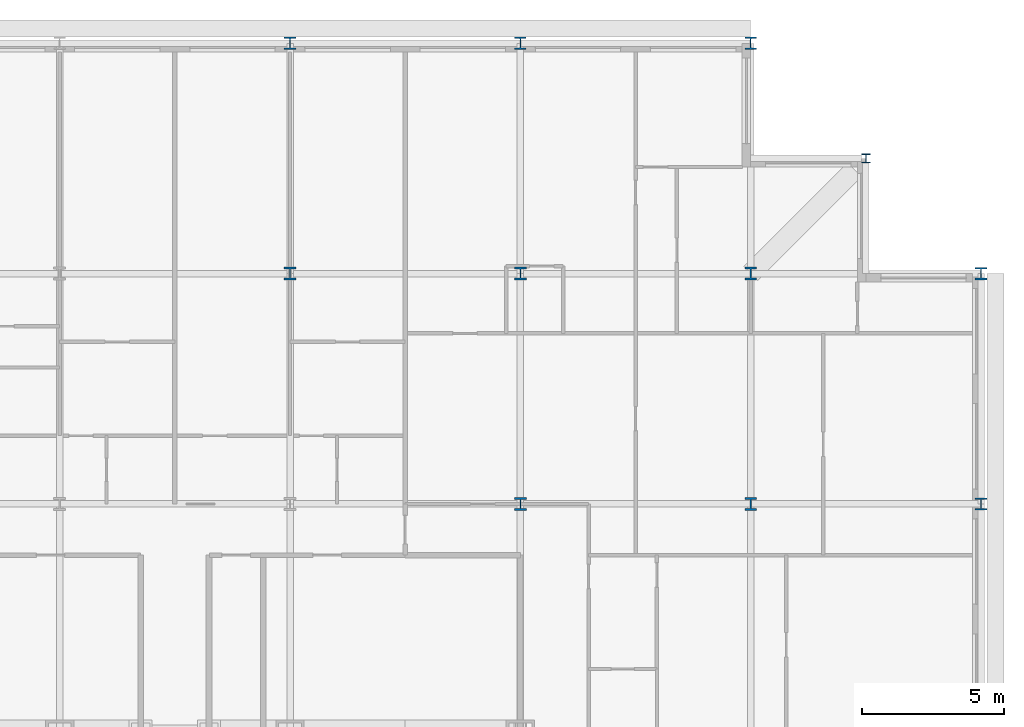
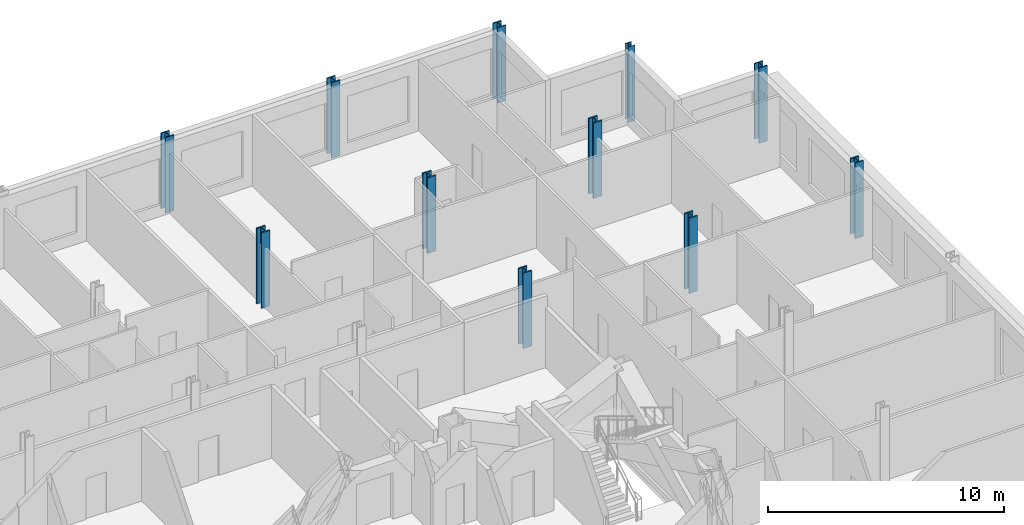
# One storey, part 4 of 16: 11 columns.
"""IFC4 building model written with IfcOpenShell, lengths in metres."""

from ifc_helpers import new_model, si_unit, direction, frame, origin, origin_2d, place, context, subcontext, project, spatial, i_section, extrude, material, material_profile, profile_set, type_object, element, save


model = new_model("IFC4")

# Units and contexts
model_context = context("Model", 3, precision=1e-05, world=origin(), true_north=direction((0.0, 1.0)))
body_context = subcontext(model_context, "Body", "Model", "MODEL_VIEW")
ifc_project = project(units=[si_unit("LENGTHUNIT", "METRE"), si_unit("AREAUNIT", "SQUARE_METRE"), si_unit("VOLUMEUNIT", "CUBIC_METRE"), si_unit("PLANEANGLEUNIT", "RADIAN"), si_unit("MASSUNIT", "GRAM", prefix="KILO")], contexts=[model_context])

# Site, building, storey
site_placement = place(None, origin())
site = spatial("IfcSite", under=ifc_project, at=site_placement, CompositionType="ELEMENT")
building_placement = place(site_placement, origin())
building = spatial("IfcBuilding", under=site, at=building_placement, Name="Kopane Lantern Tower", CompositionType="ELEMENT")
storey_placement = place(building_placement, frame((0.0, 0.0, 258.0)))
storey = spatial("IfcBuildingStorey", under=building, at=storey_placement, Name="L66", CompositionType="ELEMENT", Elevation=258.0)

# Columns
ifc_material_1 = material(Name="Steel S355JR", Category="steel")
ifc_material_profile_1 = material_profile(ifc_material_1, i_section(OverallWidth=0.307373046875, OverallDepth=0.314453125, WebThickness=0.011962890625, FlangeThickness=0.018798828125, FilletRadius=0.01513671875, at=origin_2d()), Name="UC 305x305x118")
ifc_profile_set_1 = profile_set([ifc_material_profile_1], Name="Steel S355JR")
column_type_1 = type_object("IfcColumnType", Name="COLUMN UC 305x305x118", PredefinedType="COLUMN", material=ifc_profile_set_1)
column_placement = place(storey_placement, frame((52.64990234375, 60.75, 0.0), z_axis=(0.0, 0.0, 1.0), x_axis=(1.0, 0.0, 0.0)))
element("IfcColumn", 1, at=column_placement, inside=storey, type_object=column_type_1, Name="Column 52.65/60.75 L66", PredefinedType="COLUMN", context=body_context, shape_type="SweptSolid", body=[
    extrude(i_section(OverallWidth=0.307373046875, OverallDepth=0.314453125, WebThickness=0.011962890625, FlangeThickness=0.018798828125, FilletRadius=0.01513671875, at=origin_2d()), origin(), (0.0, 0.0, 1.0), 3.89990234375),
])
ifc_material_2 = material(Name="Steel S355JR", Category="steel")
ifc_material_profile_2 = material_profile(ifc_material_2, i_section(OverallWidth=0.412109375, OverallDepth=0.4365234375, WebThickness=0.035888671875, FlangeThickness=0.05810546875, FilletRadius=0.01513671875, at=origin_2d()), Name="UC 356x406x467")
ifc_profile_set_2 = profile_set([ifc_material_profile_2], Name="Steel S355JR")
column_type_2 = type_object("IfcColumnType", Name="COLUMN UC 356x406x467", PredefinedType="COLUMN", material=ifc_profile_set_2)
for number, where, z_axis, x_axis, name in (
    (2, (32.39990234375, 64.800048828125, 0.0), (0.0, 0.0, 1.0), (1.0, 0.0, 0.0), "Column 6/K L66"),
    (3, (40.5, 64.800048828125, 0.0), (0.0, 0.0, 1.0), (1.0, 0.0, 0.0), "Column 7/K L66"),
    (4, (48.60009765625, 64.800048828125, 0.0), (0.0, 0.0, 1.0), (1.0, 0.0, 0.0), "Column 8/K L66"),
    (5, (56.699951171875, 48.60009765625, 0.0), (0.0, 0.0, 1.0), (1.0, 0.0, 0.0), "Column 9/H L66"),
    (6, (56.699951171875, 56.699951171875, 0.0), (0.0, 0.0, 1.0), (1.0, 0.0, 0.0), "Column 9/J L66"),
):
    element("IfcColumn", number, at=place(storey_placement, frame(where, z_axis=z_axis, x_axis=x_axis)), inside=storey, type_object=column_type_2, Name=name, PredefinedType="COLUMN", context=body_context, shape_type="SweptSolid", body=[
        extrude(i_section(OverallWidth=0.412109375, OverallDepth=0.4365234375, WebThickness=0.035888671875, FlangeThickness=0.05810546875, FilletRadius=0.01513671875, at=origin_2d()), origin(), (0.0, 0.0, 1.0), 3.89990234375),
    ])
ifc_material_3 = material(Name="Steel S355JR", Category="steel")
ifc_material_profile_3 = material_profile(ifc_material_3, i_section(OverallWidth=0.41845703125, OverallDepth=0.45556640625, WebThickness=0.0419921875, FlangeThickness=0.0673828125, FilletRadius=0.01513671875, at=origin_2d()), Name="UC 356x406x551")
ifc_profile_set_3 = profile_set([ifc_material_profile_3], Name="Steel S355JR")
column_type_3 = type_object("IfcColumnType", Name="COLUMN UC 356x406x551", PredefinedType="COLUMN", material=ifc_profile_set_3)
for number, where, z_axis, x_axis, name in (
    (7, (32.39990234375, 56.699951171875, 0.0), (0.0, 0.0, 1.0), (1.0, 0.0, 0.0), "Column 6/J L66"),
    (8, (40.5, 48.60009765625, 0.0), (0.0, 0.0, 1.0), (1.0, 0.0, 0.0), "Column 7/H L66"),
    (9, (40.5, 56.699951171875, 0.0), (0.0, 0.0, 1.0), (1.0, 0.0, 0.0), "Column 7/J L66"),
    (10, (48.60009765625, 48.60009765625, 0.0), (0.0, 0.0, 1.0), (1.0, 0.0, 0.0), "Column 8/H L66"),
    (11, (48.60009765625, 56.699951171875, 0.0), (0.0, 0.0, 1.0), (1.0, 0.0, 0.0), "Column 8/J L66"),
):
    element("IfcColumn", number, at=place(storey_placement, frame(where, z_axis=z_axis, x_axis=x_axis)), inside=storey, type_object=column_type_3, Name=name, PredefinedType="COLUMN", context=body_context, shape_type="SweptSolid", body=[
        extrude(i_section(OverallWidth=0.41845703125, OverallDepth=0.45556640625, WebThickness=0.0419921875, FlangeThickness=0.0673828125, FilletRadius=0.01513671875, at=origin_2d()), origin(), (0.0, 0.0, 1.0), 3.89990234375),
    ])

save(model, "model.ifc")
